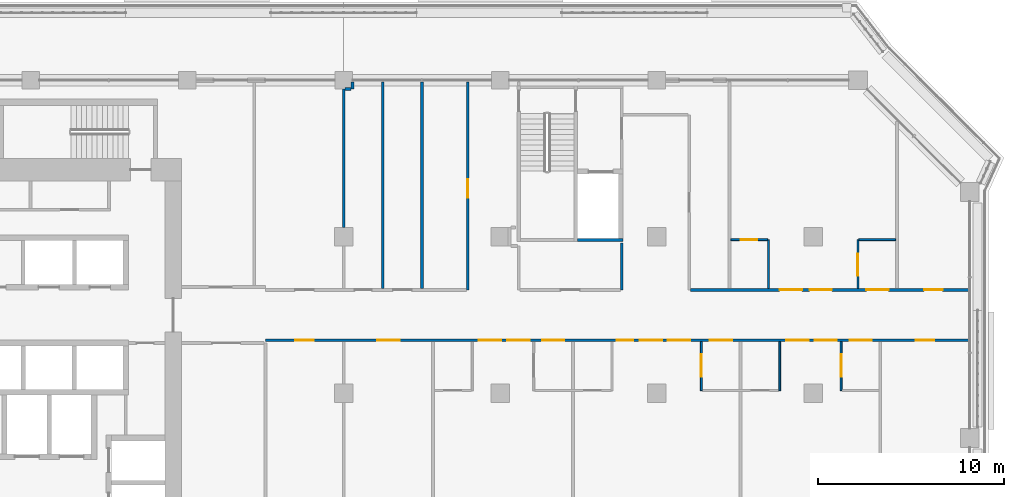
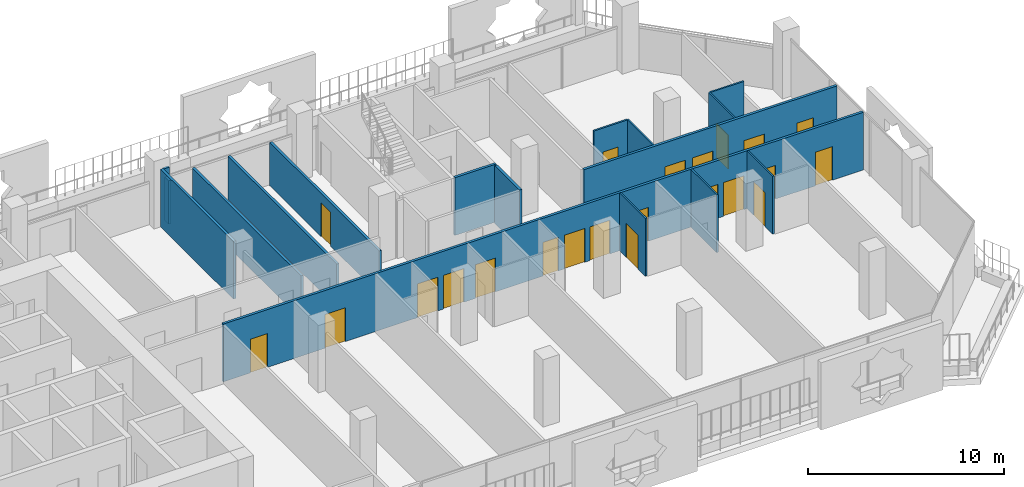
# One storey, part 13 of 22: 22 doors, 17 walls, 22 openings.
"""IFC4 building model written with IfcOpenShell, lengths in metres."""

from ifc_helpers import new_model, si_unit, direction, frame, frame_2d, origin, place, context, subcontext, project, spatial, rectangle, extrude, material, layer, layer_set, type_object, element, fill, save


model = new_model("IFC4")

# Units and contexts
model_context = context("Model", 3, precision=1e-05, world=origin(), true_north=direction((0.0, 1.0)))
body_context = subcontext(model_context, "Body", "Model", "MODEL_VIEW")
ifc_project = project(units=[si_unit("LENGTHUNIT", "METRE"), si_unit("AREAUNIT", "SQUARE_METRE"), si_unit("VOLUMEUNIT", "CUBIC_METRE"), si_unit("PLANEANGLEUNIT", "RADIAN"), si_unit("MASSUNIT", "GRAM", prefix="KILO")], contexts=[model_context])

# Site, building, storey
site_placement = place(None, origin())
site = spatial("IfcSite", under=ifc_project, at=site_placement, CompositionType="ELEMENT")
building_placement = place(site_placement, origin())
building = spatial("IfcBuilding", under=site, at=building_placement, Name="Kawkab Arch Medical Tower", CompositionType="ELEMENT")
storey_placement = place(building_placement, frame((0.0, 0.0, 187.800048828125)))
storey = spatial("IfcBuildingStorey", under=building, at=storey_placement, Name="L43", CompositionType="ELEMENT", Elevation=187.800048828125)

# Wall, opening, door
ifc_material_1 = material(Name="Gypsum board partition on steel studs", Category="steel")
ifc_layer_1 = layer(ifc_material_1, 0.10009765625)
ifc_layer_set_1 = layer_set([ifc_layer_1], Name="Gypsum board partition on steel studs")
wall_type_1 = type_object("IfcWallType", Name="Partition 100", PredefinedType="PARTITIONING", material=ifc_layer_set_1)
wall_1_placement = place(storey_placement, frame((54.375, -8.550048828125, 0.0), z_axis=(0.0, 0.0, 1.0), x_axis=(1.0, 0.0, 0.0)))
wall_1 = element("IfcWall", 1, at=wall_1_placement, inside=storey, type_object=wall_type_1, Name="Partition 100 w008", PredefinedType="PARTITIONING", context=body_context, shape_type="SweptSolid", body=[
    extrude(rectangle(XDim=1.97509765625, YDim=0.10009765625, at=frame_2d((0.987548828125, 0.0))), origin(), (0.0, 0.0, 1.0), 3.599853515625),
])
opening_1_placement = place(wall_1_placement, frame((0.52490234375, 0.0, 0.0)))
opening_1 = element("IfcOpeningElement", 2, at=opening_1_placement, cuts=wall_1, Name="Opening W43-003", PredefinedType="OPENING", context=body_context, shape_type="SweptSolid", body=[
    extrude(rectangle(XDim=0.89990234375, YDim=2.10009765625, at=frame_2d((0.449951171875, 1.050048828125))), frame((0.0, 0.06005859375, 0.0), z_axis=(0.0, -1.0, 0.0), x_axis=(1.0, 0.0, 0.0)), (0.0, 0.0, 1.0), 0.1201171875),
])
ifc_material_2 = material(Name="Timber door leaf", Category="wood")
door_type_1 = type_object("IfcDoorType", Name="Single door 900x2100", OperationType="NOTDEFINED", PredefinedType="DOOR", material=ifc_material_2)
door_1_placement = place(opening_1_placement, origin())
door_1 = element("IfcDoor", 3, at=door_1_placement, inside=storey, type_object=door_type_1, Name="Door W43-003", OperationType="SINGLE_SWING_RIGHT", OverallHeight=2.10009765625, OverallWidth=0.89990234375, PredefinedType="DOOR", context=body_context, shape_type="SweptSolid", body=[
    extrude(rectangle(XDim=0.89990234375, YDim=2.10009765625, at=frame_2d((0.449951171875, 1.050048828125))), frame((0.0, 0.02490234375, 0.0), z_axis=(0.0, -1.0, 0.0), x_axis=(1.0, 0.0, 0.0)), (0.0, 0.0, 1.0), 0.050048828125),
])
fill(opening_1, door_1)

# Wall
wall_2_placement = place(storey_placement, frame((61.25, -8.550048828125, 0.0), z_axis=(0.0, 0.0, 1.0), x_axis=(1.0, 0.0, 0.0)))
element("IfcWall", 4, at=wall_2_placement, inside=storey, type_object=wall_type_1, Name="Partition 100 w009", PredefinedType="PARTITIONING", context=body_context, shape_type="SweptSolid", body=[
    extrude(rectangle(XDim=1.97509765625, YDim=0.10009765625, at=frame_2d((0.987548828125, 0.0))), origin(), (0.0, 0.0, 1.0), 3.599853515625),
])

# Wall, opening, door
wall_3_placement = place(storey_placement, frame((52.800048828125, -16.64990234375, 0.0), z_axis=(0.0, 0.0, 1.0), x_axis=(0.0, 1.0, 0.0)))
wall_3 = element("IfcWall", 5, at=wall_3_placement, inside=storey, type_object=wall_type_1, Name="Partition 100 w016", PredefinedType="PARTITIONING", context=body_context, shape_type="SweptSolid", body=[
    extrude(rectangle(XDim=2.625, YDim=0.10009765625, at=frame_2d((1.3125, 0.0))), origin(), (0.0, 0.0, 1.0), 3.599853515625),
])
opening_2_placement = place(wall_3_placement, frame((0.75, 0.0, 0.0)))
opening_2 = element("IfcOpeningElement", 6, at=opening_2_placement, cuts=wall_3, Name="Opening W43-035", PredefinedType="OPENING", context=body_context, shape_type="SweptSolid", body=[
    extrude(rectangle(XDim=1.199951171875, YDim=2.10009765625, at=frame_2d((0.60009765625, 1.050048828125))), frame((0.0, 0.06005859375, 0.0), z_axis=(0.0, -1.0, 0.0), x_axis=(1.0, 0.0, 0.0)), (0.0, 0.0, 1.0), 0.1201171875),
])
ifc_material_3 = material(Name="Timber door leaf", Category="wood")
door_type_2 = type_object("IfcDoorType", Name="Single door 1200x2100", OperationType="NOTDEFINED", PredefinedType="DOOR", material=ifc_material_3)
door_2_placement = place(opening_2_placement, origin())
door_2 = element("IfcDoor", 7, at=door_2_placement, inside=storey, type_object=door_type_2, Name="Door W43-035", OperationType="SINGLE_SWING_LEFT", OverallHeight=2.10009765625, OverallWidth=1.199951171875, PredefinedType="DOOR", context=body_context, shape_type="SweptSolid", body=[
    extrude(rectangle(XDim=1.199951171875, YDim=2.10009765625, at=frame_2d((0.60009765625, 1.050048828125))), frame((0.0, 0.02490234375, 0.0), z_axis=(0.0, -1.0, 0.0), x_axis=(1.0, 0.0, 0.0)), (0.0, 0.0, 1.0), 0.050048828125),
])
fill(opening_2, door_2)

# Walls
for number, where, z_axis, x_axis, name in (
    (8, (56.39990234375, -11.175048828125, 0.0), (0.0, 0.0, 1.0), (0.0, 1.0, 0.0), "Partition 100 w017"),
    (9, (57.0, -16.64990234375, 0.0), (0.0, 0.0, 1.0), (0.0, 1.0, 0.0), "Partition 100 w018"),
):
    element("IfcWall", number, at=place(storey_placement, frame(where, z_axis=z_axis, x_axis=x_axis)), inside=storey, type_object=wall_type_1, Name=name, PredefinedType="PARTITIONING", context=body_context, shape_type="SweptSolid", body=[
        extrude(rectangle(XDim=2.625, YDim=0.10009765625, at=frame_2d((1.3125, 0.0))), origin(), (0.0, 0.0, 1.0), 3.599853515625),
    ])

# Wall, opening, door
wall_4_placement = place(storey_placement, frame((60.300048828125, -16.64990234375, 0.0), z_axis=(0.0, 0.0, 1.0), x_axis=(0.0, 1.0, 0.0)))
wall_4 = element("IfcWall", 10, at=wall_4_placement, inside=storey, type_object=wall_type_1, Name="Partition 100 w019", PredefinedType="PARTITIONING", context=body_context, shape_type="SweptSolid", body=[
    extrude(rectangle(XDim=2.625, YDim=0.10009765625, at=frame_2d((1.3125, 0.0))), origin(), (0.0, 0.0, 1.0), 3.599853515625),
])
opening_3_placement = place(wall_4_placement, frame((0.75, 0.0, 0.0)))
opening_3 = element("IfcOpeningElement", 11, at=opening_3_placement, cuts=wall_4, Name="Opening W43-039", PredefinedType="OPENING", context=body_context, shape_type="SweptSolid", body=[
    extrude(rectangle(XDim=1.199951171875, YDim=2.10009765625, at=frame_2d((0.60009765625, 1.050048828125))), frame((0.0, 0.06005859375, 0.0), z_axis=(0.0, -1.0, 0.0), x_axis=(1.0, 0.0, 0.0)), (0.0, 0.0, 1.0), 0.1201171875),
])
door_3_placement = place(opening_3_placement, origin())
door_3 = element("IfcDoor", 12, at=door_3_placement, inside=storey, type_object=door_type_2, Name="Door W43-039", OperationType="SINGLE_SWING_RIGHT", OverallHeight=2.10009765625, OverallWidth=1.199951171875, PredefinedType="DOOR", context=body_context, shape_type="SweptSolid", body=[
    extrude(rectangle(XDim=1.199951171875, YDim=2.10009765625, at=frame_2d((0.60009765625, 1.050048828125))), frame((0.0, 0.02490234375, 0.0), z_axis=(0.0, -1.0, 0.0), x_axis=(1.0, 0.0, 0.0)), (0.0, 0.0, 1.0), 0.050048828125),
])
fill(opening_3, door_3)

wall_5_placement = place(storey_placement, frame((61.199951171875, -11.175048828125, 0.0), z_axis=(0.0, 0.0, 1.0), x_axis=(0.0, 1.0, 0.0)))
wall_5 = element("IfcWall", 13, at=wall_5_placement, inside=storey, type_object=wall_type_1, Name="Partition 100 w020", PredefinedType="PARTITIONING", context=body_context, shape_type="SweptSolid", body=[
    extrude(rectangle(XDim=2.625, YDim=0.10009765625, at=frame_2d((1.3125, 0.0))), origin(), (0.0, 0.0, 1.0), 3.599853515625),
])
opening_4_placement = place(wall_5_placement, frame((0.675048828125, 0.0, 0.0)))
opening_4 = element("IfcOpeningElement", 14, at=opening_4_placement, cuts=wall_5, Name="Opening W43-026", PredefinedType="OPENING", context=body_context, shape_type="SweptSolid", body=[
    extrude(rectangle(XDim=1.199951171875, YDim=2.10009765625, at=frame_2d((0.60009765625, 1.050048828125))), frame((0.0, 0.06005859375, 0.0), z_axis=(0.0, -1.0, 0.0), x_axis=(1.0, 0.0, 0.0)), (0.0, 0.0, 1.0), 0.1201171875),
])
door_4_placement = place(opening_4_placement, origin())
door_4 = element("IfcDoor", 15, at=door_4_placement, inside=storey, type_object=door_type_2, Name="Door W43-026", OperationType="SINGLE_SWING_LEFT", OverallHeight=2.10009765625, OverallWidth=1.199951171875, PredefinedType="DOOR", context=body_context, shape_type="SweptSolid", body=[
    extrude(rectangle(XDim=1.199951171875, YDim=2.10009765625, at=frame_2d((0.60009765625, 1.050048828125))), frame((0.0, 0.02490234375, 0.0), z_axis=(0.0, -1.0, 0.0), x_axis=(1.0, 0.0, 0.0)), (0.0, 0.0, 1.0), 0.050048828125),
])
fill(opening_4, door_4)

# Wall, openings, doors
ifc_material_4 = material(Name="Gypsum board partition on steel studs, mineral wool", Category="steel")
ifc_layer_2 = layer(ifc_material_4, 0.14990234375)
ifc_layer_set_2 = layer_set([ifc_layer_2], Name="Gypsum board partition on steel studs, mineral wool")
wall_type_2 = type_object("IfcWallType", Name="Partition 150", PredefinedType="PARTITIONING", material=ifc_layer_set_2)
wall_6_placement = place(storey_placement, frame((29.39990234375, -13.949951171875, 0.0), z_axis=(0.0, 0.0, 1.0), x_axis=(1.0, 0.0, 0.0)))
wall_6 = element("IfcWall", 16, at=wall_6_placement, inside=storey, type_object=wall_type_2, Name="Partition 150 w033", PredefinedType="PARTITIONING", context=body_context, shape_type="SweptSolid", body=[
    extrude(rectangle(XDim=37.72021484375, YDim=0.14990234375, at=frame_2d((18.860107421875, 0.0))), origin(), (0.0, 0.0, 1.0), 3.599853515625),
])
opening_5_placement = place(wall_6_placement, frame((1.60009765625, 0.0, 0.0)))
opening_5 = element("IfcOpeningElement", 17, at=opening_5_placement, cuts=wall_6, Name="Opening W43-016", PredefinedType="OPENING", context=body_context, shape_type="SweptSolid", body=[
    extrude(rectangle(XDim=1.0, YDim=2.10009765625, at=frame_2d((0.5, 1.050048828125))), frame((0.0, 0.0849609375, 0.0), z_axis=(0.0, -1.0, 0.0), x_axis=(1.0, 0.0, 0.0)), (0.0, 0.0, 1.0), 0.169921875),
])
opening_6_placement = place(wall_6_placement, frame((6.0, 0.0, 0.0)))
opening_6 = element("IfcOpeningElement", 18, at=opening_6_placement, cuts=wall_6, Name="Opening W43-027", PredefinedType="OPENING", context=body_context, shape_type="SweptSolid", body=[
    extrude(rectangle(XDim=1.199951171875, YDim=2.10009765625, at=frame_2d((0.60009765625, 1.050048828125))), frame((0.0, 0.0849609375, 0.0), z_axis=(0.0, -1.0, 0.0), x_axis=(1.0, 0.0, 0.0)), (0.0, 0.0, 1.0), 0.169921875),
])
opening_7_placement = place(wall_6_placement, frame((12.97509765625, 0.0, 0.0)))
opening_7 = element("IfcOpeningElement", 19, at=opening_7_placement, cuts=wall_6, Name="Opening W43-028", PredefinedType="OPENING", context=body_context, shape_type="SweptSolid", body=[
    extrude(rectangle(XDim=1.199951171875, YDim=2.10009765625, at=frame_2d((0.60009765625, 1.050048828125))), frame((0.0, 0.0849609375, 0.0), z_axis=(0.0, -1.0, 0.0), x_axis=(1.0, 0.0, 0.0)), (0.0, 0.0, 1.0), 0.169921875),
])
opening_8_placement = place(wall_6_placement, frame((11.449951171875, 0.0, 0.0)))
opening_8 = element("IfcOpeningElement", 20, at=opening_8_placement, cuts=wall_6, Name="Opening W43-029", PredefinedType="OPENING", context=body_context, shape_type="SweptSolid", body=[
    extrude(rectangle(XDim=1.199951171875, YDim=2.10009765625, at=frame_2d((0.60009765625, 1.050048828125))), frame((0.0, 0.0849609375, 0.0), z_axis=(0.0, -1.0, 0.0), x_axis=(1.0, 0.0, 0.0)), (0.0, 0.0, 1.0), 0.169921875),
])
opening_9_placement = place(wall_6_placement, frame((14.85009765625, 0.0, 0.0)))
opening_9 = element("IfcOpeningElement", 21, at=opening_9_placement, cuts=wall_6, Name="Opening W43-030", PredefinedType="OPENING", context=body_context, shape_type="SweptSolid", body=[
    extrude(rectangle(XDim=1.199951171875, YDim=2.10009765625, at=frame_2d((0.60009765625, 1.050048828125))), frame((0.0, 0.0849609375, 0.0), z_axis=(0.0, -1.0, 0.0), x_axis=(1.0, 0.0, 0.0)), (0.0, 0.0, 1.0), 0.169921875),
])
opening_10_placement = place(wall_6_placement, frame((21.60009765625, 0.0, 0.0)))
opening_10 = element("IfcOpeningElement", 22, at=opening_10_placement, cuts=wall_6, Name="Opening W43-032", PredefinedType="OPENING", context=body_context, shape_type="SweptSolid", body=[
    extrude(rectangle(XDim=1.199951171875, YDim=2.10009765625, at=frame_2d((0.60009765625, 1.050048828125))), frame((0.0, 0.0849609375, 0.0), z_axis=(0.0, -1.0, 0.0), x_axis=(1.0, 0.0, 0.0)), (0.0, 0.0, 1.0), 0.169921875),
])
opening_11_placement = place(wall_6_placement, frame((20.10009765625, 0.0, 0.0)))
opening_11 = element("IfcOpeningElement", 23, at=opening_11_placement, cuts=wall_6, Name="Opening W43-033", PredefinedType="OPENING", context=body_context, shape_type="SweptSolid", body=[
    extrude(rectangle(XDim=1.199951171875, YDim=2.10009765625, at=frame_2d((0.60009765625, 1.050048828125))), frame((0.0, 0.0849609375, 0.0), z_axis=(0.0, -1.0, 0.0), x_axis=(1.0, 0.0, 0.0)), (0.0, 0.0, 1.0), 0.169921875),
])
opening_12_placement = place(wall_6_placement, frame((18.85009765625, 0.0, 0.0)))
opening_12 = element("IfcOpeningElement", 24, at=opening_12_placement, cuts=wall_6, Name="Opening W43-010", PredefinedType="OPENING", context=body_context, shape_type="SweptSolid", body=[
    extrude(rectangle(XDim=0.89990234375, YDim=2.10009765625, at=frame_2d((0.449951171875, 1.050048828125))), frame((0.0, 0.0849609375, 0.0), z_axis=(0.0, -1.0, 0.0), x_axis=(1.0, 0.0, 0.0)), (0.0, 0.0, 1.0), 0.169921875),
])
opening_13_placement = place(wall_6_placement, frame((23.85009765625, 0.0, 0.0)))
opening_13 = element("IfcOpeningElement", 25, at=opening_13_placement, cuts=wall_6, Name="Opening W43-034", PredefinedType="OPENING", context=body_context, shape_type="SweptSolid", body=[
    extrude(rectangle(XDim=1.199951171875, YDim=2.10009765625, at=frame_2d((0.60009765625, 1.050048828125))), frame((0.0, 0.0849609375, 0.0), z_axis=(0.0, -1.0, 0.0), x_axis=(1.0, 0.0, 0.0)), (0.0, 0.0, 1.0), 0.169921875),
])
opening_14_placement = place(wall_6_placement, frame((29.47509765625, 0.0, 0.0)))
opening_14 = element("IfcOpeningElement", 26, at=opening_14_placement, cuts=wall_6, Name="Opening W43-036", PredefinedType="OPENING", context=body_context, shape_type="SweptSolid", body=[
    extrude(rectangle(XDim=1.199951171875, YDim=2.10009765625, at=frame_2d((0.60009765625, 1.050048828125))), frame((0.0, 0.0849609375, 0.0), z_axis=(0.0, -1.0, 0.0), x_axis=(1.0, 0.0, 0.0)), (0.0, 0.0, 1.0), 0.169921875),
])
opening_15_placement = place(wall_6_placement, frame((27.949951171875, 0.0, 0.0)))
opening_15 = element("IfcOpeningElement", 27, at=opening_15_placement, cuts=wall_6, Name="Opening W43-037", PredefinedType="OPENING", context=body_context, shape_type="SweptSolid", body=[
    extrude(rectangle(XDim=1.199951171875, YDim=2.10009765625, at=frame_2d((0.60009765625, 1.050048828125))), frame((0.0, 0.0849609375, 0.0), z_axis=(0.0, -1.0, 0.0), x_axis=(1.0, 0.0, 0.0)), (0.0, 0.0, 1.0), 0.169921875),
])
opening_16_placement = place(wall_6_placement, frame((31.35009765625, 0.0, 0.0)))
opening_16 = element("IfcOpeningElement", 28, at=opening_16_placement, cuts=wall_6, Name="Opening W43-038", PredefinedType="OPENING", context=body_context, shape_type="SweptSolid", body=[
    extrude(rectangle(XDim=1.199951171875, YDim=2.10009765625, at=frame_2d((0.60009765625, 1.050048828125))), frame((0.0, 0.0849609375, 0.0), z_axis=(0.0, -1.0, 0.0), x_axis=(1.0, 0.0, 0.0)), (0.0, 0.0, 1.0), 0.169921875),
])
opening_17_placement = place(wall_6_placement, frame((34.89990234375, 0.0, 0.0)))
opening_17 = element("IfcOpeningElement", 29, at=opening_17_placement, cuts=wall_6, Name="Opening W43-017", PredefinedType="OPENING", context=body_context, shape_type="SweptSolid", body=[
    extrude(rectangle(XDim=1.0, YDim=2.10009765625, at=frame_2d((0.5, 1.050048828125))), frame((0.0, 0.0849609375, 0.0), z_axis=(0.0, -1.0, 0.0), x_axis=(1.0, 0.0, 0.0)), (0.0, 0.0, 1.0), 0.169921875),
])
ifc_material_5 = material(Name="Hollow metal door leaf")
door_type_3 = type_object("IfcDoorType", Name="Single door 1000x2100 FD30S", OperationType="NOTDEFINED", PredefinedType="DOOR", material=ifc_material_5)
door_5_placement = place(opening_5_placement, origin())
door_5 = element("IfcDoor", 30, at=door_5_placement, inside=storey, type_object=door_type_3, Name="Door W43-016", OperationType="SINGLE_SWING_RIGHT", OverallHeight=2.10009765625, OverallWidth=1.0, PredefinedType="DOOR", context=body_context, shape_type="SweptSolid", body=[
    extrude(rectangle(XDim=1.0, YDim=2.10009765625, at=frame_2d((0.5, 1.050048828125))), frame((0.0, 0.02490234375, 0.0), z_axis=(0.0, -1.0, 0.0), x_axis=(1.0, 0.0, 0.0)), (0.0, 0.0, 1.0), 0.050048828125),
])
fill(opening_5, door_5)
door_6_placement = place(opening_17_placement, origin())
door_6 = element("IfcDoor", 31, at=door_6_placement, inside=storey, type_object=door_type_3, Name="Door W43-017", OperationType="SINGLE_SWING_LEFT", OverallHeight=2.10009765625, OverallWidth=1.0, PredefinedType="DOOR", context=body_context, shape_type="SweptSolid", body=[
    extrude(rectangle(XDim=1.0, YDim=2.10009765625, at=frame_2d((0.5, 1.050048828125))), frame((0.0, 0.02490234375, 0.0), z_axis=(0.0, -1.0, 0.0), x_axis=(1.0, 0.0, 0.0)), (0.0, 0.0, 1.0), 0.050048828125),
])
fill(opening_17, door_6)
ifc_material_6 = material(Name="Hollow metal door leaf")
door_type_4 = type_object("IfcDoorType", Name="Single door 1200x2100 FD30S", OperationType="NOTDEFINED", PredefinedType="DOOR", material=ifc_material_6)
door_7_placement = place(opening_6_placement, origin())
door_7 = element("IfcDoor", 32, at=door_7_placement, inside=storey, type_object=door_type_4, Name="Door W43-027", OperationType="SINGLE_SWING_RIGHT", OverallHeight=2.10009765625, OverallWidth=1.199951171875, PredefinedType="DOOR", context=body_context, shape_type="SweptSolid", body=[
    extrude(rectangle(XDim=1.199951171875, YDim=2.10009765625, at=frame_2d((0.60009765625, 1.050048828125))), frame((0.0, 0.02490234375, 0.0), z_axis=(0.0, -1.0, 0.0), x_axis=(1.0, 0.0, 0.0)), (0.0, 0.0, 1.0), 0.050048828125),
])
fill(opening_6, door_7)
door_8_placement = place(opening_7_placement, origin())
door_8 = element("IfcDoor", 33, at=door_8_placement, inside=storey, type_object=door_type_4, Name="Door W43-028", OperationType="SINGLE_SWING_RIGHT", OverallHeight=2.10009765625, OverallWidth=1.199951171875, PredefinedType="DOOR", context=body_context, shape_type="SweptSolid", body=[
    extrude(rectangle(XDim=1.199951171875, YDim=2.10009765625, at=frame_2d((0.60009765625, 1.050048828125))), frame((0.0, 0.02490234375, 0.0), z_axis=(0.0, -1.0, 0.0), x_axis=(1.0, 0.0, 0.0)), (0.0, 0.0, 1.0), 0.050048828125),
])
fill(opening_7, door_8)
door_9_placement = place(opening_8_placement, origin())
door_9 = element("IfcDoor", 34, at=door_9_placement, inside=storey, type_object=door_type_4, Name="Door W43-029", OperationType="SINGLE_SWING_RIGHT", OverallHeight=2.10009765625, OverallWidth=1.199951171875, PredefinedType="DOOR", context=body_context, shape_type="SweptSolid", body=[
    extrude(rectangle(XDim=1.199951171875, YDim=2.10009765625, at=frame_2d((0.60009765625, 1.050048828125))), frame((0.0, 0.02490234375, 0.0), z_axis=(0.0, -1.0, 0.0), x_axis=(1.0, 0.0, 0.0)), (0.0, 0.0, 1.0), 0.050048828125),
])
fill(opening_8, door_9)
door_10_placement = place(opening_9_placement, origin())
door_10 = element("IfcDoor", 35, at=door_10_placement, inside=storey, type_object=door_type_4, Name="Door W43-030", OperationType="SINGLE_SWING_RIGHT", OverallHeight=2.10009765625, OverallWidth=1.199951171875, PredefinedType="DOOR", context=body_context, shape_type="SweptSolid", body=[
    extrude(rectangle(XDim=1.199951171875, YDim=2.10009765625, at=frame_2d((0.60009765625, 1.050048828125))), frame((0.0, 0.02490234375, 0.0), z_axis=(0.0, -1.0, 0.0), x_axis=(1.0, 0.0, 0.0)), (0.0, 0.0, 1.0), 0.050048828125),
])
fill(opening_9, door_10)
door_11_placement = place(opening_10_placement, origin())
door_11 = element("IfcDoor", 36, at=door_11_placement, inside=storey, type_object=door_type_4, Name="Door W43-032", OperationType="SINGLE_SWING_LEFT", OverallHeight=2.10009765625, OverallWidth=1.199951171875, PredefinedType="DOOR", context=body_context, shape_type="SweptSolid", body=[
    extrude(rectangle(XDim=1.199951171875, YDim=2.10009765625, at=frame_2d((0.60009765625, 1.050048828125))), frame((0.0, 0.02490234375, 0.0), z_axis=(0.0, -1.0, 0.0), x_axis=(1.0, 0.0, 0.0)), (0.0, 0.0, 1.0), 0.050048828125),
])
fill(opening_10, door_11)
door_12_placement = place(opening_11_placement, origin())
door_12 = element("IfcDoor", 37, at=door_12_placement, inside=storey, type_object=door_type_4, Name="Door W43-033", OperationType="SINGLE_SWING_LEFT", OverallHeight=2.10009765625, OverallWidth=1.199951171875, PredefinedType="DOOR", context=body_context, shape_type="SweptSolid", body=[
    extrude(rectangle(XDim=1.199951171875, YDim=2.10009765625, at=frame_2d((0.60009765625, 1.050048828125))), frame((0.0, 0.02490234375, 0.0), z_axis=(0.0, -1.0, 0.0), x_axis=(1.0, 0.0, 0.0)), (0.0, 0.0, 1.0), 0.050048828125),
])
fill(opening_11, door_12)
door_13_placement = place(opening_13_placement, origin())
door_13 = element("IfcDoor", 38, at=door_13_placement, inside=storey, type_object=door_type_4, Name="Door W43-034", OperationType="SINGLE_SWING_LEFT", OverallHeight=2.10009765625, OverallWidth=1.199951171875, PredefinedType="DOOR", context=body_context, shape_type="SweptSolid", body=[
    extrude(rectangle(XDim=1.199951171875, YDim=2.10009765625, at=frame_2d((0.60009765625, 1.050048828125))), frame((0.0, 0.02490234375, 0.0), z_axis=(0.0, -1.0, 0.0), x_axis=(1.0, 0.0, 0.0)), (0.0, 0.0, 1.0), 0.050048828125),
])
fill(opening_13, door_13)
door_14_placement = place(opening_14_placement, origin())
door_14 = element("IfcDoor", 39, at=door_14_placement, inside=storey, type_object=door_type_4, Name="Door W43-036", OperationType="SINGLE_SWING_LEFT", OverallHeight=2.10009765625, OverallWidth=1.199951171875, PredefinedType="DOOR", context=body_context, shape_type="SweptSolid", body=[
    extrude(rectangle(XDim=1.199951171875, YDim=2.10009765625, at=frame_2d((0.60009765625, 1.050048828125))), frame((0.0, 0.02490234375, 0.0), z_axis=(0.0, -1.0, 0.0), x_axis=(1.0, 0.0, 0.0)), (0.0, 0.0, 1.0), 0.050048828125),
])
fill(opening_14, door_14)
door_15_placement = place(opening_15_placement, origin())
door_15 = element("IfcDoor", 40, at=door_15_placement, inside=storey, type_object=door_type_4, Name="Door W43-037", OperationType="SINGLE_SWING_LEFT", OverallHeight=2.10009765625, OverallWidth=1.199951171875, PredefinedType="DOOR", context=body_context, shape_type="SweptSolid", body=[
    extrude(rectangle(XDim=1.199951171875, YDim=2.10009765625, at=frame_2d((0.60009765625, 1.050048828125))), frame((0.0, 0.02490234375, 0.0), z_axis=(0.0, -1.0, 0.0), x_axis=(1.0, 0.0, 0.0)), (0.0, 0.0, 1.0), 0.050048828125),
])
fill(opening_15, door_15)
door_16_placement = place(opening_16_placement, origin())
door_16 = element("IfcDoor", 41, at=door_16_placement, inside=storey, type_object=door_type_4, Name="Door W43-038", OperationType="SINGLE_SWING_LEFT", OverallHeight=2.10009765625, OverallWidth=1.199951171875, PredefinedType="DOOR", context=body_context, shape_type="SweptSolid", body=[
    extrude(rectangle(XDim=1.199951171875, YDim=2.10009765625, at=frame_2d((0.60009765625, 1.050048828125))), frame((0.0, 0.02490234375, 0.0), z_axis=(0.0, -1.0, 0.0), x_axis=(1.0, 0.0, 0.0)), (0.0, 0.0, 1.0), 0.050048828125),
])
fill(opening_16, door_16)
ifc_material_7 = material(Name="Hollow metal door leaf")
door_type_5 = type_object("IfcDoorType", Name="Single door 900x2100 FD30S", OperationType="NOTDEFINED", PredefinedType="DOOR", material=ifc_material_7)
door_17_placement = place(opening_12_placement, origin())
door_17 = element("IfcDoor", 42, at=door_17_placement, inside=storey, type_object=door_type_5, Name="Door W43-010", OperationType="SINGLE_SWING_LEFT", OverallHeight=2.10009765625, OverallWidth=0.89990234375, PredefinedType="DOOR", context=body_context, shape_type="SweptSolid", body=[
    extrude(rectangle(XDim=0.89990234375, YDim=2.10009765625, at=frame_2d((0.449951171875, 1.050048828125))), frame((0.0, 0.02490234375, 0.0), z_axis=(0.0, -1.0, 0.0), x_axis=(1.0, 0.0, 0.0)), (0.0, 0.0, 1.0), 0.050048828125),
])
fill(opening_12, door_17)

wall_7_placement = place(storey_placement, frame((52.218017578125, -11.25, 0.0), z_axis=(0.0, 0.0, 1.0), x_axis=(1.0, 0.0, 0.0)))
wall_7 = element("IfcWall", 43, at=wall_7_placement, inside=storey, type_object=wall_type_2, Name="Partition 150 w036", PredefinedType="PARTITIONING", context=body_context, shape_type="SweptSolid", body=[
    extrude(rectangle(XDim=14.902099609375, YDim=0.14990234375, at=frame_2d((7.451171875, 0.0))), origin(), (0.0, 0.0, 1.0), 3.599853515625),
])
opening_18_placement = place(wall_7_placement, frame((4.781982421875, 0.0, 0.0)))
opening_18 = element("IfcOpeningElement", 44, at=opening_18_placement, cuts=wall_7, Name="Opening W43-023", PredefinedType="OPENING", context=body_context, shape_type="SweptSolid", body=[
    extrude(rectangle(XDim=1.199951171875, YDim=2.10009765625, at=frame_2d((0.60009765625, 1.050048828125))), frame((0.0, 0.0849609375, 0.0), z_axis=(0.0, -1.0, 0.0), x_axis=(1.0, 0.0, 0.0)), (0.0, 0.0, 1.0), 0.169921875),
])
opening_19_placement = place(wall_7_placement, frame((6.382080078125, 0.0, 0.0)))
opening_19 = element("IfcOpeningElement", 45, at=opening_19_placement, cuts=wall_7, Name="Opening W43-024", PredefinedType="OPENING", context=body_context, shape_type="SweptSolid", body=[
    extrude(rectangle(XDim=1.199951171875, YDim=2.10009765625, at=frame_2d((0.60009765625, 1.050048828125))), frame((0.0, 0.0849609375, 0.0), z_axis=(0.0, -1.0, 0.0), x_axis=(1.0, 0.0, 0.0)), (0.0, 0.0, 1.0), 0.169921875),
])
opening_20_placement = place(wall_7_placement, frame((9.431884765625, 0.0, 0.0)))
opening_20 = element("IfcOpeningElement", 46, at=opening_20_placement, cuts=wall_7, Name="Opening W43-025", PredefinedType="OPENING", context=body_context, shape_type="SweptSolid", body=[
    extrude(rectangle(XDim=1.199951171875, YDim=2.10009765625, at=frame_2d((0.60009765625, 1.050048828125))), frame((0.0, 0.0849609375, 0.0), z_axis=(0.0, -1.0, 0.0), x_axis=(1.0, 0.0, 0.0)), (0.0, 0.0, 1.0), 0.169921875),
])
opening_21_placement = place(wall_7_placement, frame((12.531982421875, 0.0, 0.0)))
opening_21 = element("IfcOpeningElement", 47, at=opening_21_placement, cuts=wall_7, Name="Opening W43-015", PredefinedType="OPENING", context=body_context, shape_type="SweptSolid", body=[
    extrude(rectangle(XDim=1.0, YDim=2.10009765625, at=frame_2d((0.5, 1.050048828125))), frame((0.0, 0.0849609375, 0.0), z_axis=(0.0, -1.0, 0.0), x_axis=(1.0, 0.0, 0.0)), (0.0, 0.0, 1.0), 0.169921875),
])
door_18_placement = place(opening_21_placement, origin())
door_18 = element("IfcDoor", 48, at=door_18_placement, inside=storey, type_object=door_type_3, Name="Door W43-015", OperationType="SINGLE_SWING_RIGHT", OverallHeight=2.10009765625, OverallWidth=1.0, PredefinedType="DOOR", context=body_context, shape_type="SweptSolid", body=[
    extrude(rectangle(XDim=1.0, YDim=2.10009765625, at=frame_2d((0.5, 1.050048828125))), frame((0.0, 0.02490234375, 0.0), z_axis=(0.0, -1.0, 0.0), x_axis=(1.0, 0.0, 0.0)), (0.0, 0.0, 1.0), 0.050048828125),
])
fill(opening_21, door_18)
door_19_placement = place(opening_18_placement, origin())
door_19 = element("IfcDoor", 49, at=door_19_placement, inside=storey, type_object=door_type_4, Name="Door W43-023", OperationType="SINGLE_SWING_LEFT", OverallHeight=2.10009765625, OverallWidth=1.199951171875, PredefinedType="DOOR", context=body_context, shape_type="SweptSolid", body=[
    extrude(rectangle(XDim=1.199951171875, YDim=2.10009765625, at=frame_2d((0.60009765625, 1.050048828125))), frame((0.0, 0.02490234375, 0.0), z_axis=(0.0, -1.0, 0.0), x_axis=(1.0, 0.0, 0.0)), (0.0, 0.0, 1.0), 0.050048828125),
])
fill(opening_18, door_19)
door_20_placement = place(opening_19_placement, origin())
door_20 = element("IfcDoor", 50, at=door_20_placement, inside=storey, type_object=door_type_4, Name="Door W43-024", OperationType="SINGLE_SWING_LEFT", OverallHeight=2.10009765625, OverallWidth=1.199951171875, PredefinedType="DOOR", context=body_context, shape_type="SweptSolid", body=[
    extrude(rectangle(XDim=1.199951171875, YDim=2.10009765625, at=frame_2d((0.60009765625, 1.050048828125))), frame((0.0, 0.02490234375, 0.0), z_axis=(0.0, -1.0, 0.0), x_axis=(1.0, 0.0, 0.0)), (0.0, 0.0, 1.0), 0.050048828125),
])
fill(opening_19, door_20)
door_21_placement = place(opening_20_placement, origin())
door_21 = element("IfcDoor", 51, at=door_21_placement, inside=storey, type_object=door_type_4, Name="Door W43-025", OperationType="SINGLE_SWING_RIGHT", OverallHeight=2.10009765625, OverallWidth=1.199951171875, PredefinedType="DOOR", context=body_context, shape_type="SweptSolid", body=[
    extrude(rectangle(XDim=1.199951171875, YDim=2.10009765625, at=frame_2d((0.60009765625, 1.050048828125))), frame((0.0, 0.02490234375, 0.0), z_axis=(0.0, -1.0, 0.0), x_axis=(1.0, 0.0, 0.0)), (0.0, 0.0, 1.0), 0.050048828125),
])
fill(opening_20, door_21)

# Walls
wall_8_placement = place(storey_placement, frame((33.677001953125, -0.47509765625, 0.0), z_axis=(0.0, 0.0, 1.0), x_axis=(1.0, 0.0, 0.0)))
element("IfcWall", 52, at=wall_8_placement, inside=storey, type_object=wall_type_2, Name="Partition 150 w042", PredefinedType="PARTITIONING", context=body_context, shape_type="SweptSolid", body=[
    extrude(rectangle(XDim=0.321044921875, YDim=0.14990234375, at=frame_2d((0.16064453125, 0.0))), origin(), (0.0, 0.0, 1.0), 3.599853515625),
])
wall_9_placement = place(storey_placement, frame((33.60009765625, -7.89990234375, 0.0), z_axis=(0.0, 0.0, 1.0), x_axis=(0.0, 1.0, 0.0)))
element("IfcWall", 53, at=wall_9_placement, inside=storey, type_object=wall_type_2, Name="Partition 150 w055", PredefinedType="PARTITIONING", context=body_context, shape_type="SweptSolid", body=[
    extrude(rectangle(XDim=7.4228515625, YDim=0.14990234375, at=frame_2d((3.71142578125, 0.0))), origin(), (0.0, 0.0, 1.0), 3.599853515625),
])
wall_10_placement = place(storey_placement, frame((34.074951171875, -0.472900390625, 0.0), z_axis=(0.0, 0.0, 1.0), x_axis=(0.0, 1.0, 0.0)))
element("IfcWall", 54, at=wall_10_placement, inside=storey, type_object=wall_type_2, Name="Partition 150 w056", PredefinedType="PARTITIONING", context=body_context, shape_type="SweptSolid", body=[
    extrude(rectangle(XDim=0.392822265625, YDim=0.14990234375, at=frame_2d((0.1962890625, 0.0))), origin(), (0.0, 0.0, 1.0), 2.699951171875),
])
for number, where, z_axis, x_axis, name in (
    (55, (35.699951171875, -11.175048828125, 0.0), (0.0, 0.0, 1.0), (0.0, 1.0, 0.0), "Partition 150 w057"),
    (56, (37.800048828125, -11.175048828125, 0.0), (0.0, 0.0, 1.0), (0.0, 1.0, 0.0), "Partition 150 w058"),
):
    element("IfcWall", number, at=place(storey_placement, frame(where, z_axis=z_axis, x_axis=x_axis)), inside=storey, type_object=wall_type_2, Name=name, PredefinedType="PARTITIONING", context=body_context, shape_type="SweptSolid", body=[
        extrude(rectangle(XDim=11.094970703125, YDim=0.14990234375, at=frame_2d((5.54736328125, 0.0))), origin(), (0.0, 0.0, 1.0), 2.699951171875),
    ])

# Wall, opening, door
wall_11_placement = place(storey_placement, frame((40.257080078125, -11.25, 0.0), z_axis=(0.0, 0.0, 1.0), x_axis=(0.0, 1.0, 0.0)))
wall_11 = element("IfcWall", 57, at=wall_11_placement, inside=storey, type_object=wall_type_2, Name="Partition 150 w060", PredefinedType="PARTITIONING", context=body_context, shape_type="SweptSolid", body=[
    extrude(rectangle(XDim=11.169921875, YDim=0.14990234375, at=frame_2d((5.5849609375, 0.0))), origin(), (0.0, 0.0, 1.0), 2.699951171875),
])
opening_22_placement = place(wall_11_placement, frame((4.949951171875, 0.0, 0.0)))
opening_22 = element("IfcOpeningElement", 58, at=opening_22_placement, cuts=wall_11, Name="Opening W43-021", PredefinedType="OPENING", context=body_context, shape_type="SweptSolid", body=[
    extrude(rectangle(XDim=1.0, YDim=2.10009765625, at=frame_2d((0.5, 1.050048828125))), frame((0.0, 0.0849609375, 0.0), z_axis=(0.0, -1.0, 0.0), x_axis=(1.0, 0.0, 0.0)), (0.0, 0.0, 1.0), 0.169921875),
])
door_22_placement = place(opening_22_placement, origin())
door_22 = element("IfcDoor", 59, at=door_22_placement, inside=storey, type_object=door_type_3, Name="Door W43-021", OperationType="SINGLE_SWING_RIGHT", OverallHeight=2.10009765625, OverallWidth=1.0, PredefinedType="DOOR", context=body_context, shape_type="SweptSolid", body=[
    extrude(rectangle(XDim=1.0, YDim=2.10009765625, at=frame_2d((0.5, 1.050048828125))), frame((0.0, 0.02490234375, 0.0), z_axis=(0.0, -1.0, 0.0), x_axis=(1.0, 0.0, 0.0)), (0.0, 0.0, 1.0), 0.050048828125),
])
fill(opening_22, door_22)

# Walls
wall_12_placement = place(storey_placement, frame((48.52490234375, -11.25, 0.0), z_axis=(0.0, 0.0, 1.0), x_axis=(0.0, 1.0, 0.0)))
element("IfcWall", 60, at=wall_12_placement, inside=storey, type_object=wall_type_2, Name="Partition 150 w065", PredefinedType="PARTITIONING", context=body_context, shape_type="SweptSolid", body=[
    extrude(rectangle(XDim=2.52001953125, YDim=0.14990234375, at=frame_2d((1.260009765625, 0.0))), origin(), (0.0, 0.0, 1.0), 3.599853515625),
])
ifc_material_8 = material(Name="Concrete C50/60", Category="concrete")
ifc_layer_3 = layer(ifc_material_8, 0.14990234375)
ifc_layer_set_3 = layer_set([ifc_layer_3], Name="Concrete C50/60")
wall_type_3 = type_object("IfcWallType", Name="Stair enclosure wall 150 C50/60", PredefinedType="SHEAR", material=ifc_layer_set_3)
wall_13_placement = place(storey_placement, frame((46.14990234375, -8.574951171875, 0.0), z_axis=(0.0, 0.0, 1.0), x_axis=(1.0, 0.0, 0.0)))
element("IfcWall", 61, at=wall_13_placement, inside=storey, type_object=wall_type_3, Name="L43 stair enclosure wall", PredefinedType="SHEAR", context=body_context, shape_type="SweptSolid", body=[
    extrude(rectangle(XDim=2.4501953125, YDim=0.14990234375, at=frame_2d((1.22509765625, 0.0))), origin(), (0.0, 0.0, 1.0), 3.599853515625),
])

save(model, "model.ifc")
